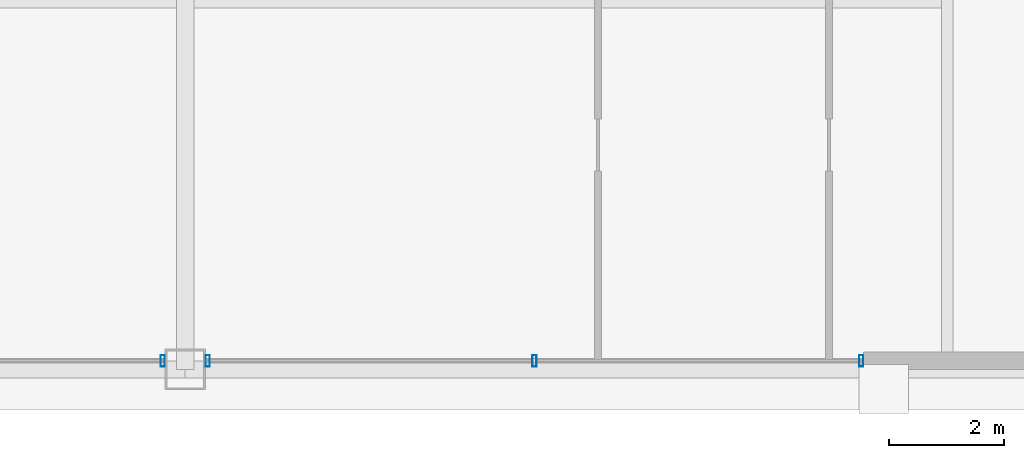
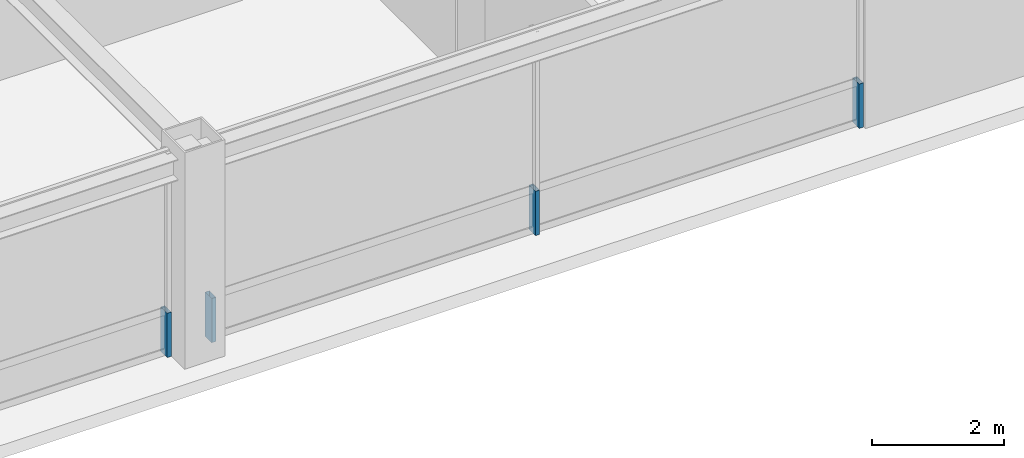
# One storey, part 23 of 34: 4 members, 2 elements without a shape of their own.
"""IFC4 building model written with IfcOpenShell, lengths in metres."""

from ifc_helpers import new_model, si_unit, direction, frame, origin, origin_2d, place, context, subcontext, project, spatial, hollow_rectangle, extrude, source, transform, mapped, material, layer, layer_set, material_profile, profile_set, type_object, element, aggregate, save


model = new_model("IFC4")

# Units and contexts
model_context = context("Model", 3, precision=1e-05, world=origin(), true_north=direction((0.0, 1.0)))
body_context = subcontext(model_context, "Body", "Model", "MODEL_VIEW")
ifc_project = project(units=[si_unit("LENGTHUNIT", "METRE"), si_unit("AREAUNIT", "SQUARE_METRE"), si_unit("VOLUMEUNIT", "CUBIC_METRE"), si_unit("PLANEANGLEUNIT", "RADIAN"), si_unit("MASSUNIT", "GRAM", prefix="KILO"), si_unit("THERMODYNAMICTEMPERATUREUNIT", "KELVIN"), si_unit("POWERUNIT", "WATT")], contexts=[model_context])

# Site, building, storey
site_placement = place(None, origin())
site = spatial("IfcSite", under=ifc_project, at=site_placement, CompositionType="ELEMENT")
building_placement = place(site_placement, origin())
building = spatial("IfcBuilding", under=site, at=building_placement, Name="Yuzanri Waterfront Tower", CompositionType="ELEMENT")
storey_placement = place(building_placement, frame((0.0, 0.0, 339.199951171875)))
storey = spatial("IfcBuildingStorey", under=building, at=storey_placement, Name="L91", CompositionType="ELEMENT", Elevation=339.199951171875)

# Curtain wall, member
ifc_material_1 = material(Name="Anodized Architectural Bronze", Category="metal")
ifc_layer = layer(ifc_material_1, 0.159912109375)
ifc_layer_set = layer_set([ifc_layer], Name="Anodized Architectural Bronze")
curtain_wall_type = type_object("IfcCurtainWallType", Name="Anodized Bronze High-Rise Penthouse High-Wind Unitized Curtain Wall 6900", PredefinedType="NOTDEFINED", material=ifc_layer_set)
curtain_wall_1_placement = place(storey_placement, origin())
curtain_wall_1 = element("IfcCurtainWall", 1, at=curtain_wall_1_placement, inside=storey, type_object=curtain_wall_type, Name="L91 Curtain Wall CW-L91-SL", PredefinedType="NOTDEFINED")
ifc_material_2 = material(Name="Anodized Architectural Bronze", Category="metal")
ifc_material_profile = material_profile(ifc_material_2, hollow_rectangle(XDim=0.074951171875, YDim=0.199951171875, WallThickness=0.00390625, at=origin_2d()), Name="CWM 75x200")
ifc_profile_set = profile_set([ifc_material_profile], Name="Anodized Architectural Bronze")
member_type = type_object("IfcMemberType", Name="Anodized Bronze Primary Curtain-Wall Mullion 75x200", PredefinedType="MULLION", material=ifc_profile_set)
shared_shape = source(origin(), body_context, "Body", "SweptSolid", [
    extrude(hollow_rectangle(XDim=0.074951171875, YDim=0.199951171875, WallThickness=0.00390625, at=origin_2d()), origin(), (0.0, 0.0, 1.0), 0.818115234375),
])
member_1_placement = place(storey_placement, frame((36.610107421875, 6.85009765625, 0.0), z_axis=(0.0, 0.0, 1.0), x_axis=(1.0, 0.0, 0.0)))
member_1 = element("IfcMember", 2, at=member_1_placement, type_object=member_type, Name="CW-L91-SL Lower Mullion 02", PredefinedType="MULLION", context=body_context, shape_type="MappedRepresentation", body=[
    mapped(shared_shape, transform((0.0, 0.0, 0.0), scale=1.0)),
])
aggregate(curtain_wall_1, [member_1])

# Curtain wall, members
curtain_wall_2_placement = place(storey_placement, origin())
curtain_wall_2 = element("IfcCurtainWall", 3, at=curtain_wall_2_placement, inside=storey, type_object=curtain_wall_type, Name="L91 Curtain Wall CW-L91-SR", PredefinedType="NOTDEFINED")
member_2_placement = place(storey_placement, frame((37.389892578125, 6.85009765625, 0.0), z_axis=(0.0, 0.0, 1.0), x_axis=(1.0, 0.0, 0.0)))
member_2 = element("IfcMember", 4, at=member_2_placement, type_object=member_type, Name="CW-L91-SR Lower Mullion 00", PredefinedType="MULLION", context=body_context, shape_type="MappedRepresentation", body=[
    mapped(shared_shape, transform((0.0, 0.0, 0.0), scale=1.0)),
])
member_3_placement = place(storey_placement, frame((43.050048828125, 6.85009765625, 0.0), z_axis=(0.0, 0.0, 1.0), x_axis=(1.0, 0.0, 0.0)))
member_3 = element("IfcMember", 5, at=member_3_placement, type_object=member_type, Name="CW-L91-SR Lower Mullion 01", PredefinedType="MULLION", context=body_context, shape_type="MappedRepresentation", body=[
    mapped(shared_shape, transform((0.0, 0.0, 0.0), scale=1.0)),
])
member_4_placement = place(storey_placement, frame((48.7099609375, 6.85009765625, 0.0), z_axis=(0.0, 0.0, 1.0), x_axis=(1.0, 0.0, 0.0)))
member_4 = element("IfcMember", 6, at=member_4_placement, type_object=member_type, Name="CW-L91-SR Lower Mullion 02", PredefinedType="MULLION", context=body_context, shape_type="MappedRepresentation", body=[
    mapped(shared_shape, transform((0.0, 0.0, 0.0), scale=1.0)),
])
aggregate(curtain_wall_2, [member_2, member_3, member_4])

save(model, "model.ifc")
